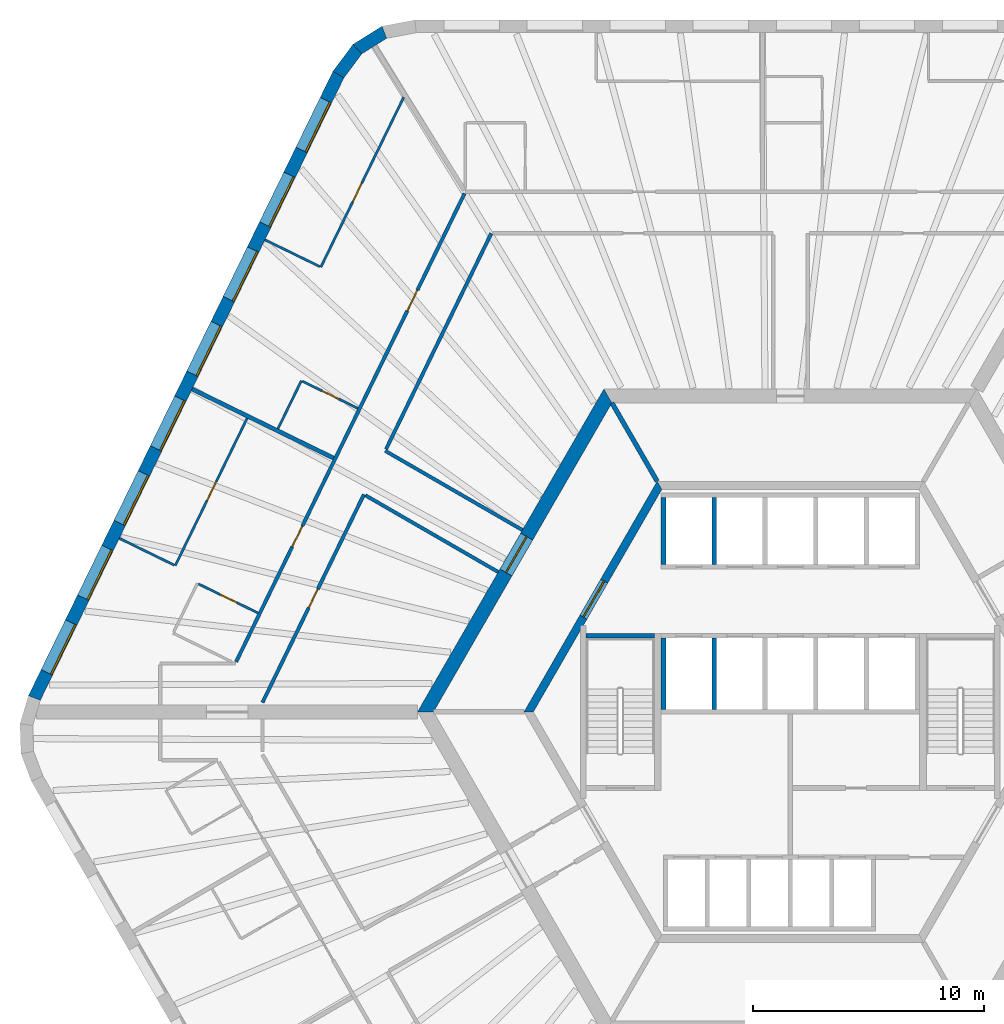
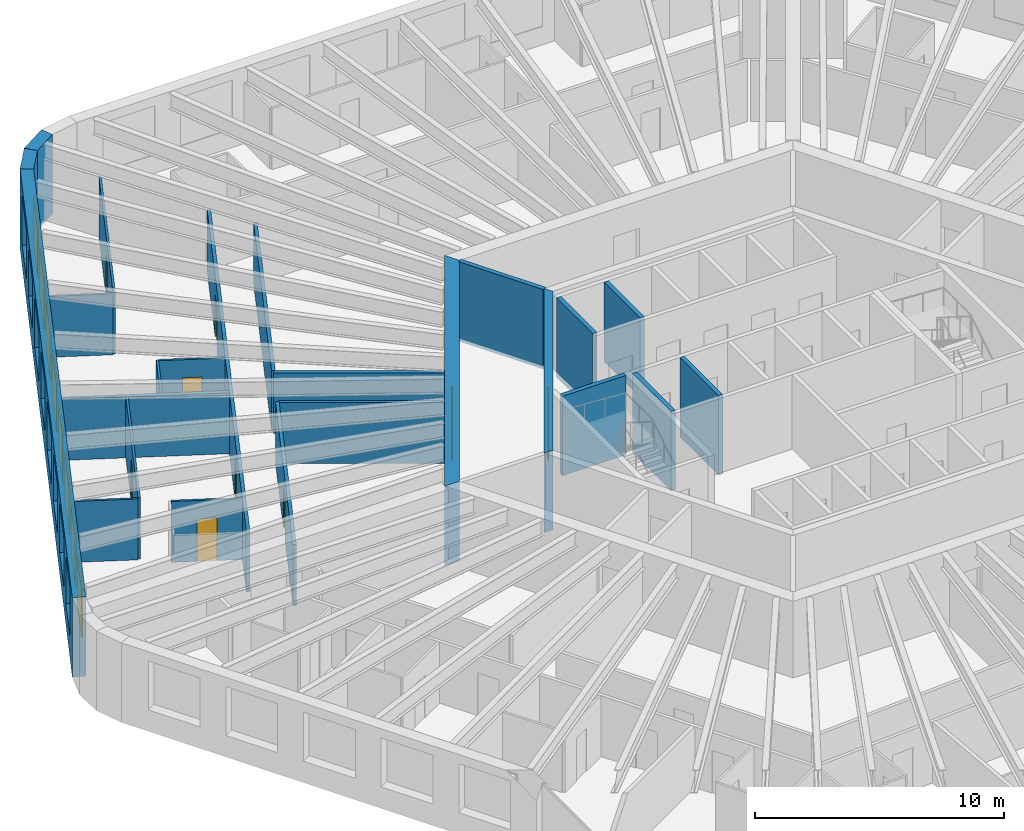
# One storey, part 7 of 12: 24 walls, 9 doors, 8 windows, 17 openings.
"""IFC4 building model written with IfcOpenShell, lengths in metres."""

from ifc_helpers import new_model, si_unit, direction, frame, frame_2d, origin, place, context, subcontext, project, spatial, polyline, rectangle, outline, extrude, material, layer, layer_set, type_object, element, fill, save


model = new_model("IFC4")

# Units and contexts
model_context = context("Model", 3, precision=1e-05, world=origin(), true_north=direction((0.0, 1.0)))
body_context = subcontext(model_context, "Body", "Model", "MODEL_VIEW")
ifc_project = project(units=[si_unit("LENGTHUNIT", "METRE"), si_unit("AREAUNIT", "SQUARE_METRE"), si_unit("VOLUMEUNIT", "CUBIC_METRE"), si_unit("PLANEANGLEUNIT", "RADIAN"), si_unit("MASSUNIT", "GRAM", prefix="KILO")], contexts=[model_context])

# Site, building, storey
site_placement = place(None, origin())
site = spatial("IfcSite", under=ifc_project, at=site_placement, CompositionType="ELEMENT")
building_placement = place(site_placement, origin())
building = spatial("IfcBuilding", under=site, at=building_placement, Name="Tarnside Tower", CompositionType="ELEMENT")
storey_placement = place(building_placement, frame((0.0, 0.0, 57.0)))
storey = spatial("IfcBuildingStorey", under=building, at=storey_placement, Name="L11", CompositionType="ELEMENT", Elevation=57.0)

# Wall
ifc_material_1 = material(Name="Gypsum board partition on steel studs", Category="steel")
ifc_layer_1 = layer(ifc_material_1, 0.10009765625)
ifc_layer_set_1 = layer_set([ifc_layer_1], Name="Bathroom wall 100")
wall_type_1 = type_object("IfcWallType", Name="Bathroom wall 100", PredefinedType="PARTITIONING", material=ifc_layer_set_1)
wall_1_placement = place(storey_placement, frame((-22.214111328125, 12.2822265625, 0.0), z_axis=(0.0, 0.0, 1.0), x_axis=(0.438398644313, 0.89878063434, 0.0)))
element("IfcWall", 1, at=wall_1_placement, inside=storey, type_object=wall_type_1, Name="Bathroom wall 02089", PredefinedType="PARTITIONING", context=body_context, shape_type="SweptSolid", body=[
    extrude(rectangle(XDim=2.31005859375, YDim=0.10009765625, at=frame_2d((1.155029296875, 0.0))), origin(), (0.0, 0.0, 1.0), 2.98779296875),
])

# Wall, opening, door
wall_2_placement = place(storey_placement, frame((-21.156494140625, 14.33642578125, 0.0), z_axis=(0.0, 0.0, 1.0), x_axis=(0.898800897694, -0.438357099068, 0.0)))
wall_2 = element("IfcWall", 2, at=wall_2_placement, inside=storey, type_object=wall_type_1, Name="Bathroom wall 02090", PredefinedType="PARTITIONING", context=body_context, shape_type="SweptSolid", body=[
    extrude(rectangle(XDim=2.675048828125, YDim=0.10009765625, at=frame_2d((1.33740234375, 0.0))), origin(), (0.0, 0.0, 1.0), 2.98779296875),
])
opening_1_placement = place(wall_2_placement, frame((0.949951171875, 0.0, 0.0)))
opening_1 = element("IfcOpeningElement", 3, at=opening_1_placement, cuts=wall_2, Name="Opening D-B1", PredefinedType="OPENING", context=body_context, shape_type="SweptSolid", body=[
    extrude(rectangle(XDim=0.800048828125, YDim=2.10009765625, at=frame_2d((0.39990234375, 1.050048828125))), frame((0.0, 0.06005859375, 0.0), z_axis=(0.0, -1.0, 0.0), x_axis=(1.0, 0.0, 0.0)), (0.0, 0.0, 1.0), 0.1201171875),
])
ifc_material_2 = material(Name="Timber door leaf", Category="wood")
door_type_1 = type_object("IfcDoorType", Name="Bathroom door 800", OperationType="NOTDEFINED", PredefinedType="DOOR", material=ifc_material_2)
door_1_placement = place(opening_1_placement, origin())
door_1 = element("IfcDoor", 4, at=door_1_placement, inside=storey, type_object=door_type_1, Name="Bathroom door 02009", OperationType="SINGLE_SWING_LEFT", OverallHeight=2.10009765625, OverallWidth=0.800048828125, PredefinedType="DOOR", context=body_context, shape_type="SweptSolid", body=[
    extrude(rectangle(XDim=0.800048828125, YDim=2.10009765625, at=frame_2d((0.39990234375, 1.050048828125))), frame((0.0, 0.02490234375, 0.0), z_axis=(0.0, -1.0, 0.0), x_axis=(1.0, 0.0, 0.0)), (0.0, 0.0, 1.0), 0.050048828125),
])
fill(opening_1, door_1)

wall_3_placement = place(storey_placement, frame((-25.664306640625, 5.55029296875, 0.0), z_axis=(0.0, 0.0, 1.0), x_axis=(0.898799457159, -0.438360052708, 0.0)))
wall_3 = element("IfcWall", 5, at=wall_3_placement, inside=storey, type_object=wall_type_1, Name="Bathroom wall 02098", PredefinedType="PARTITIONING", context=body_context, shape_type="SweptSolid", body=[
    extrude(rectangle(XDim=2.875, YDim=0.10009765625, at=frame_2d((1.4375, 0.0))), origin(), (0.0, 0.0, 1.0), 2.98779296875),
])
opening_2_placement = place(wall_3_placement, frame((1.050048828125, 0.0, 0.0)))
opening_2 = element("IfcOpeningElement", 6, at=opening_2_placement, cuts=wall_3, Name="Opening D-B1", PredefinedType="OPENING", context=body_context, shape_type="SweptSolid", body=[
    extrude(rectangle(XDim=0.800048828125, YDim=2.10009765625, at=frame_2d((0.39990234375, 1.050048828125))), frame((0.0, 0.06005859375, 0.0), z_axis=(0.0, -1.0, 0.0), x_axis=(1.0, 0.0, 0.0)), (0.0, 0.0, 1.0), 0.1201171875),
])
door_2_placement = place(opening_2_placement, origin())
door_2 = element("IfcDoor", 7, at=door_2_placement, inside=storey, type_object=door_type_1, Name="Bathroom door 02012", OperationType="SINGLE_SWING_LEFT", OverallHeight=2.10009765625, OverallWidth=0.800048828125, PredefinedType="DOOR", context=body_context, shape_type="SweptSolid", body=[
    extrude(rectangle(XDim=0.800048828125, YDim=2.10009765625, at=frame_2d((0.39990234375, 1.050048828125))), frame((0.0, 0.02490234375, 0.0), z_axis=(0.0, -1.0, 0.0), x_axis=(1.0, 0.0, 0.0)), (0.0, 0.0, 1.0), 0.050048828125),
])
fill(opening_2, door_2)

ifc_material_3 = material(Name="Concrete C50/60", Category="concrete")
ifc_layer_2 = layer(ifc_material_3, 0.35009765625)
ifc_layer_set_2 = layer_set([ifc_layer_2], Name="Core block wall 350 C50/60")
wall_type_2 = type_object("IfcWallType", Name="Core block wall 350 C50/60", PredefinedType="SHEAR", material=ifc_layer_set_2)
wall_4_placement = place(storey_placement, frame((-5.672607421875, 9.824951171875, -0.14990234375), z_axis=(0.0, 0.0, 1.0), x_axis=(-0.499995046907, -0.866028263435, 0.0)))
wall_4 = element("IfcWall", 8, at=wall_4_placement, inside=storey, type_object=wall_type_2, Name="L11 core block wall face 2", PredefinedType="SHEAR", context=body_context, shape_type="SweptSolid", body=[
    extrude(outline(polyline([(-0.10107421875, -0.175048828125), (11.44580078125, -0.175048828125), (11.24365234375, 0.175048828125), (0.10107421875, 0.175048828125), (-0.10107421875, -0.175048828125)])), origin(), (0.0, 0.0, 1.0), 3.89990234375),
])
opening_3_placement = place(wall_4_placement, frame((4.80126953125, 0.0, 0.14990234375)))
opening_3 = element("IfcOpeningElement", 9, at=opening_3_placement, cuts=wall_4, Name="Opening CD-LOB", PredefinedType="OPENING", context=body_context, shape_type="SweptSolid", body=[
    extrude(rectangle(XDim=1.800048828125, YDim=2.39990234375, at=frame_2d((0.89990234375, 1.199951171875))), frame((0.0, 0.18505859375, 0.0), z_axis=(0.0, -1.0, 0.0), x_axis=(1.0, 0.0, 0.0)), (0.0, 0.0, 1.0), 0.3701171875),
])
ifc_material_4 = material(Name="Steel fire door", Category="steel")
door_type_2 = type_object("IfcDoorType", Name="Lobby double door FD30S 1800x2400", OperationType="NOTDEFINED", PredefinedType="DOOR", material=ifc_material_4)
door_3_placement = place(opening_3_placement, origin())
door_3 = element("IfcDoor", 10, at=door_3_placement, inside=storey, type_object=door_type_2, Name="L11 lobby block door P1", OperationType="DOUBLE_DOOR_SINGLE_SWING", OverallHeight=2.39990234375, OverallWidth=1.800048828125, PredefinedType="DOOR", context=body_context, shape_type="SweptSolid", body=[
    extrude(rectangle(XDim=1.800048828125, YDim=2.39990234375, at=frame_2d((0.89990234375, 1.199951171875))), frame((0.0, 0.02490234375, 0.0), z_axis=(0.0, -1.0, 0.0), x_axis=(1.0, 0.0, 0.0)), (0.0, 0.0, 1.0), 0.050048828125),
])
fill(opening_3, door_3)

ifc_material_5 = material(Name="Concrete C80/95", Category="concrete")
ifc_layer_3 = layer(ifc_material_5, 0.60009765625)
ifc_layer_set_3 = layer_set([ifc_layer_3], Name="Core wall Z1 600 C80/95")
wall_type_3 = type_object("IfcWallType", Name="Core wall Z1 600 C80/95", PredefinedType="SHEAR", material=ifc_layer_set_3)
wall_5_placement = place(storey_placement, frame((-7.90966796875, 13.699951171875, -0.14990234375), z_axis=(0.0, 0.0, 1.0), x_axis=(-0.499999880136, -0.866025472988, 0.0)))
wall_5 = element("IfcWall", 11, at=wall_5_placement, inside=storey, type_object=wall_type_3, Name="L11 core wall face 2", PredefinedType="SHEAR", context=body_context, shape_type="SweptSolid", body=[
    extrude(outline(polyline([(-0.17333984375, -0.300048828125), (15.99267578125, -0.300048828125), (15.64599609375, 0.300048828125), (0.17333984375, 0.300048828125), (-0.17333984375, -0.300048828125)])), origin(), (0.0, 0.0, 1.0), 3.89990234375),
])
opening_4_placement = place(wall_5_placement, frame((7.03857421875, 0.0, 0.14990234375)))
opening_4 = element("IfcOpeningElement", 12, at=opening_4_placement, cuts=wall_5, Name="Opening CD-LOB", PredefinedType="OPENING", context=body_context, shape_type="SweptSolid", body=[
    extrude(rectangle(XDim=1.800048828125, YDim=2.39990234375, at=frame_2d((0.89990234375, 1.199951171875))), frame((0.0, 0.31005859375, 0.0), z_axis=(0.0, -1.0, 0.0), x_axis=(1.0, 0.0, 0.0)), (0.0, 0.0, 1.0), 0.6201171875),
])
door_4_placement = place(opening_4_placement, origin())
door_4 = element("IfcDoor", 13, at=door_4_placement, inside=storey, type_object=door_type_2, Name="L11 core door P1", OperationType="DOUBLE_DOOR_SINGLE_SWING", OverallHeight=2.39990234375, OverallWidth=1.800048828125, PredefinedType="DOOR", context=body_context, shape_type="SweptSolid", body=[
    extrude(rectangle(XDim=1.800048828125, YDim=2.39990234375, at=frame_2d((0.89990234375, 1.199951171875))), frame((0.0, 0.02490234375, 0.0), z_axis=(0.0, -1.0, 0.0), x_axis=(1.0, 0.0, 0.0)), (0.0, 0.0, 1.0), 0.050048828125),
])
fill(opening_4, door_4)

# Wall, openings, doors
ifc_layer_4 = layer(ifc_material_1, 0.14990234375)
ifc_layer_set_4 = layer_set([ifc_layer_4], Name="Corridor wall 150 EI 60")
wall_type_4 = type_object("IfcWallType", Name="Corridor wall 150 EI 60", PredefinedType="PARTITIONING", material=ifc_layer_set_4)
wall_6_placement = place(storey_placement, frame((-14.12744140625, 22.47509765625, 0.0), z_axis=(0.0, 0.0, 1.0), x_axis=(-0.438366981459, -0.898796077855, 0.0)))
wall_6 = element("IfcWall", 14, at=wall_6_placement, inside=storey, type_object=wall_type_4, Name="Corridor wall 02007", PredefinedType="PARTITIONING", context=body_context, shape_type="SweptSolid", body=[
    extrude(rectangle(XDim=22.5859375, YDim=0.14990234375, at=frame_2d((11.29296875, 0.0))), origin(), (0.0, 0.0, 1.0), 2.98779296875),
])
opening_5_placement = place(wall_6_placement, frame((4.656494140625, 0.0, 0.0)))
opening_5 = element("IfcOpeningElement", 15, at=opening_5_placement, cuts=wall_6, Name="Opening D-E1", PredefinedType="OPENING", context=body_context, shape_type="SweptSolid", body=[
    extrude(rectangle(XDim=1.0, YDim=2.10009765625, at=frame_2d((0.5, 1.050048828125))), frame((0.0, 0.0849609375, 0.0), z_axis=(0.0, -1.0, 0.0), x_axis=(1.0, 0.0, 0.0)), (0.0, 0.0, 1.0), 0.169921875),
])
opening_6_placement = place(wall_6_placement, frame((16.03271484375, 0.0, 0.0)))
opening_6 = element("IfcOpeningElement", 16, at=opening_6_placement, cuts=wall_6, Name="Opening D-E1", PredefinedType="OPENING", context=body_context, shape_type="SweptSolid", body=[
    extrude(rectangle(XDim=1.0, YDim=2.10009765625, at=frame_2d((0.5, 1.050048828125))), frame((0.0, 0.0849609375, 0.0), z_axis=(0.0, -1.0, 0.0), x_axis=(1.0, 0.0, 0.0)), (0.0, 0.0, 1.0), 0.169921875),
])
door_type_3 = type_object("IfcDoorType", Name="Unit entrance door 1000 FD30S", OperationType="NOTDEFINED", PredefinedType="DOOR", material=ifc_material_2)
door_5_placement = place(opening_5_placement, origin())
door_5 = element("IfcDoor", 17, at=door_5_placement, inside=storey, type_object=door_type_3, Name="Unit door 02008", OperationType="SINGLE_SWING_RIGHT", OverallHeight=2.10009765625, OverallWidth=1.0, PredefinedType="DOOR", context=body_context, shape_type="SweptSolid", body=[
    extrude(rectangle(XDim=1.0, YDim=2.10009765625, at=frame_2d((0.5, 1.050048828125))), frame((0.0, 0.02490234375, 0.0), z_axis=(0.0, -1.0, 0.0), x_axis=(1.0, 0.0, 0.0)), (0.0, 0.0, 1.0), 0.050048828125),
])
fill(opening_5, door_5)
door_6_placement = place(opening_6_placement, origin())
door_6 = element("IfcDoor", 18, at=door_6_placement, inside=storey, type_object=door_type_3, Name="Unit door 02011", OperationType="SINGLE_SWING_RIGHT", OverallHeight=2.10009765625, OverallWidth=1.0, PredefinedType="DOOR", context=body_context, shape_type="SweptSolid", body=[
    extrude(rectangle(XDim=1.0, YDim=2.10009765625, at=frame_2d((0.5, 1.050048828125))), frame((0.0, 0.02490234375, 0.0), z_axis=(0.0, -1.0, 0.0), x_axis=(1.0, 0.0, 0.0)), (0.0, 0.0, 1.0), 0.050048828125),
])
fill(opening_6, door_6)

# Walls
wall_7_placement = place(storey_placement, frame((-11.61376953125, 7.88427734375, 0.0), z_axis=(0.0, 0.0, 1.0), x_axis=(-0.866026442345, 0.499998201156, 0.0)))
element("IfcWall", 19, at=wall_7_placement, inside=storey, type_object=wall_type_4, Name="Corridor wall 02013", PredefinedType="PARTITIONING", context=body_context, shape_type="SweptSolid", body=[
    extrude(rectangle(XDim=6.8720703125, YDim=0.14990234375, at=frame_2d((3.43603515625, 0.0))), origin(), (0.0, 0.0, 1.0), 2.98779296875),
])
wall_8_placement = place(storey_placement, frame((-17.5322265625, 11.387939453125, 0.0), z_axis=(0.0, 0.0, 1.0), x_axis=(0.438369602246, 0.898794799622, 0.0)))
element("IfcWall", 20, at=wall_8_placement, inside=storey, type_object=wall_type_4, Name="Corridor wall 02014", PredefinedType="PARTITIONING", context=body_context, shape_type="SweptSolid", body=[
    extrude(rectangle(XDim=10.416259765625, YDim=0.14990234375, at=frame_2d((5.2080078125, 0.0))), origin(), (0.0, 0.0, 1.0), 2.98779296875),
])

# Wall, opening, door
wall_9_placement = place(storey_placement, frame((-22.886474609375, 0.41015625, 0.0), z_axis=(0.0, 0.0, 1.0), x_axis=(0.438373773754, 0.898792765038, 0.0)))
wall_9 = element("IfcWall", 21, at=wall_9_placement, inside=storey, type_object=wall_type_4, Name="Corridor wall 02020", PredefinedType="PARTITIONING", context=body_context, shape_type="SweptSolid", body=[
    extrude(rectangle(XDim=10.033447265625, YDim=0.14990234375, at=frame_2d((5.0166015625, 0.0))), origin(), (0.0, 0.0, 1.0), 2.98779296875),
])
opening_7_placement = place(wall_9_placement, frame((4.56689453125, 0.0, 0.0)))
opening_7 = element("IfcOpeningElement", 22, at=opening_7_placement, cuts=wall_9, Name="Opening D-S1", PredefinedType="OPENING", context=body_context, shape_type="SweptSolid", body=[
    extrude(rectangle(XDim=0.89990234375, YDim=2.10009765625, at=frame_2d((0.449951171875, 1.050048828125))), frame((0.0, 0.0849609375, 0.0), z_axis=(0.0, -1.0, 0.0), x_axis=(1.0, 0.0, 0.0)), (0.0, 0.0, 1.0), 0.169921875),
])
door_type_4 = type_object("IfcDoorType", Name="Service room door 900 FD30S", OperationType="NOTDEFINED", PredefinedType="DOOR", material=ifc_material_2)
door_7_placement = place(opening_7_placement, origin())
door_7 = element("IfcDoor", 23, at=door_7_placement, inside=storey, type_object=door_type_4, Name="Service door 02043", OperationType="SINGLE_SWING_RIGHT", OverallHeight=2.10009765625, OverallWidth=0.89990234375, PredefinedType="DOOR", context=body_context, shape_type="SweptSolid", body=[
    extrude(rectangle(XDim=0.89990234375, YDim=2.10009765625, at=frame_2d((0.449951171875, 1.050048828125))), frame((0.0, 0.02490234375, 0.0), z_axis=(0.0, -1.0, 0.0), x_axis=(1.0, 0.0, 0.0)), (0.0, 0.0, 1.0), 0.050048828125),
])
fill(opening_7, door_7)

# Walls
wall_10_placement = place(storey_placement, frame((-18.4228515625, 9.390625, 0.0), z_axis=(0.0, 0.0, 1.0), x_axis=(0.866027239912, -0.49999681972, 0.0)))
element("IfcWall", 24, at=wall_10_placement, inside=storey, type_object=wall_type_4, Name="Corridor wall 02021", PredefinedType="PARTITIONING", context=body_context, shape_type="SweptSolid", body=[
    extrude(rectangle(XDim=6.64990234375, YDim=0.14990234375, at=frame_2d((3.324951171875, 0.0))), origin(), (0.0, 0.0, 1.0), 2.98779296875),
])
ifc_layer_5 = layer(ifc_material_1, 0.179931640625)
ifc_layer_set_5 = layer_set([ifc_layer_5], Name="Demising wall 180 EI 60")
wall_type_5 = type_object("IfcWallType", Name="Demising wall 180 EI 60", PredefinedType="PARTITIONING", material=ifc_layer_set_5)
wall_11_placement = place(storey_placement, frame((-25.9384765625, 13.99853515625, 0.0), z_axis=(0.0, 0.0, 1.0), x_axis=(0.898790790823, -0.438377821441, 0.0)))
element("IfcWall", 25, at=wall_11_placement, inside=storey, type_object=wall_type_5, Name="Demising wall 02093", PredefinedType="PARTITIONING", context=body_context, shape_type="SweptSolid", body=[
    extrude(rectangle(XDim=6.824951171875, YDim=0.179931640625, at=frame_2d((3.41259765625, 0.0))), origin(), (0.0, 0.0, 1.0), 2.98779296875),
])
ifc_material_6 = material(Name="Concrete C40/50", Category="concrete")
ifc_layer_6 = layer(ifc_material_6, 0.199951171875)
ifc_layer_set_6 = layer_set([ifc_layer_6], Name="Lift shaft wall 200 C40/50")
wall_type_6 = type_object("IfcWallType", Name="Lift shaft wall 200 C40/50", PredefinedType="SHEAR", material=ifc_layer_set_6)
for number, where, z_axis, x_axis, name in (
    (26, (-5.5, 6.39990234375, -0.25), (0.0, 0.0, 1.0), (0.0, 1.0, 0.0), "L11 lift shaft partition R11"),
    (27, (-3.300048828125, 6.39990234375, -0.25), (0.0, 0.0, 1.0), (0.0, 1.0, 0.0), "L11 lift shaft partition R12"),
):
    element("IfcWall", number, at=place(storey_placement, frame(where, z_axis=z_axis, x_axis=x_axis)), inside=storey, type_object=wall_type_6, Name=name, PredefinedType="SHEAR", context=body_context, shape_type="SweptSolid", body=[
        extrude(rectangle(XDim=2.900146484375, YDim=0.199951171875, at=frame_2d((1.4501953125, 0.0))), origin(), (0.0, 0.0, 1.0), 3.89990234375),
    ])
for number, where, z_axis, x_axis, name in (
    (28, (-5.5, 0.10009765625, -0.25), (0.0, 0.0, 1.0), (0.0, 1.0, 0.0), "L11 lift shaft partition R21"),
    (29, (-3.300048828125, 0.10009765625, -0.25), (0.0, 0.0, 1.0), (0.0, 1.0, 0.0), "L11 lift shaft partition R22"),
):
    element("IfcWall", number, at=place(storey_placement, frame(where, z_axis=z_axis, x_axis=x_axis)), inside=storey, type_object=wall_type_6, Name=name, PredefinedType="SHEAR", context=body_context, shape_type="SweptSolid", body=[
        extrude(rectangle(XDim=3.099853515625, YDim=0.199951171875, at=frame_2d((1.5498046875, 0.0))), origin(), (0.0, 0.0, 1.0), 3.89990234375),
    ])
wall_12_placement = place(storey_placement, frame((-5.7734375, 10.0, -0.14990234375), z_axis=(0.0, 0.0, 1.0), x_axis=(-0.500038251005, 0.86600331843, 0.0)))
element("IfcWall", 30, at=wall_12_placement, inside=storey, type_object=wall_type_6, Name="L11 core partition AR120", PredefinedType="SHEAR", context=body_context, shape_type="SweptSolid", body=[
    extrude(rectangle(XDim=3.926025390625, YDim=0.199951171875, at=frame_2d((1.962890625, 0.0))), origin(), (0.0, 0.0, 1.0), 3.89990234375),
])
wall_13_placement = place(storey_placement, frame((-8.85009765625, 3.300048828125, -0.25), z_axis=(0.0, 0.0, 1.0), x_axis=(1.0, 0.0, 0.0)))
element("IfcWall", 31, at=wall_13_placement, inside=storey, type_object=wall_type_6, Name="L11 stair 2 enclosure cap wall n", PredefinedType="SHEAR", context=body_context, shape_type="SweptSolid", body=[
    extrude(rectangle(XDim=2.9501953125, YDim=0.199951171875, at=frame_2d((1.47509765625, 0.0))), origin(), (0.0, 0.0, 1.0), 3.89990234375),
])

# Wall, opening, door
ifc_layer_7 = layer(ifc_material_1, 0.10009765625)
ifc_layer_set_7 = layer_set([ifc_layer_7], Name="Partition 100")
wall_type_7 = type_object("IfcWallType", Name="Partition 100", PredefinedType="PARTITIONING", material=ifc_layer_set_7)
wall_14_placement = place(storey_placement, frame((-16.76171875, 26.654541015625, 0.0), z_axis=(0.0, 0.0, 1.0), x_axis=(-0.438376691605, -0.898791341891, 0.0)))
wall_14 = element("IfcWall", 32, at=wall_14_placement, inside=storey, type_object=wall_type_7, Name="Partition wall 02091", PredefinedType="PARTITIONING", context=body_context, shape_type="SweptSolid", body=[
    extrude(rectangle(XDim=8.19775390625, YDim=0.10009765625, at=frame_2d((4.098876953125, 0.0))), origin(), (0.0, 0.0, 1.0), 2.98779296875),
])
opening_8_placement = place(wall_14_placement, frame((4.14794921875, 0.0, 0.0)))
opening_8 = element("IfcOpeningElement", 33, at=opening_8_placement, cuts=wall_14, Name="Opening D-I1", PredefinedType="OPENING", context=body_context, shape_type="SweptSolid", body=[
    extrude(rectangle(XDim=0.89990234375, YDim=2.10009765625, at=frame_2d((0.449951171875, 1.050048828125))), frame((0.0, 0.06005859375, 0.0), z_axis=(0.0, -1.0, 0.0), x_axis=(1.0, 0.0, 0.0)), (0.0, 0.0, 1.0), 0.1201171875),
])
door_type_5 = type_object("IfcDoorType", Name="Internal door 900", OperationType="NOTDEFINED", PredefinedType="DOOR", material=ifc_material_2)
door_8_placement = place(opening_8_placement, origin())
door_8 = element("IfcDoor", 34, at=door_8_placement, inside=storey, type_object=door_type_5, Name="Internal door 02010", OperationType="SINGLE_SWING_LEFT", OverallHeight=2.10009765625, OverallWidth=0.89990234375, PredefinedType="DOOR", context=body_context, shape_type="SweptSolid", body=[
    extrude(rectangle(XDim=0.89990234375, YDim=2.10009765625, at=frame_2d((0.449951171875, 1.050048828125))), frame((0.0, 0.02490234375, 0.0), z_axis=(0.0, -1.0, 0.0), x_axis=(1.0, 0.0, 0.0)), (0.0, 0.0, 1.0), 0.050048828125),
])
fill(opening_8, door_8)

# Wall
wall_15_placement = place(storey_placement, frame((-20.400390625, 19.30810546875, 0.0), z_axis=(0.0, 0.0, 1.0), x_axis=(-0.898769331032, 0.438421816972, 0.0)))
element("IfcWall", 35, at=wall_15_placement, inside=storey, type_object=wall_type_7, Name="Partition wall 02092", PredefinedType="PARTITIONING", context=body_context, shape_type="SweptSolid", body=[
    extrude(rectangle(XDim=2.650146484375, YDim=0.10009765625, at=frame_2d((1.3251953125, 0.0))), origin(), (0.0, 0.0, 1.0), 2.98779296875),
])

# Wall, opening, door
wall_16_placement = place(storey_placement, frame((-23.55126953125, 12.734130859375, 0.0), z_axis=(0.0, 0.0, 1.0), x_axis=(-0.438387776054, -0.898785935475, 0.0)))
wall_16 = element("IfcWall", 36, at=wall_16_placement, inside=storey, type_object=wall_type_7, Name="Partition wall 02099", PredefinedType="PARTITIONING", context=body_context, shape_type="SweptSolid", body=[
    extrude(rectangle(XDim=7.110107421875, YDim=0.10009765625, at=frame_2d((3.55517578125, 0.0))), origin(), (0.0, 0.0, 1.0), 2.98779296875),
])
opening_9_placement = place(wall_16_placement, frame((3.06005859375, 0.0, 0.0)))
opening_9 = element("IfcOpeningElement", 37, at=opening_9_placement, cuts=wall_16, Name="Opening D-I1", PredefinedType="OPENING", context=body_context, shape_type="SweptSolid", body=[
    extrude(rectangle(XDim=0.89990234375, YDim=2.10009765625, at=frame_2d((0.449951171875, 1.050048828125))), frame((0.0, 0.06005859375, 0.0), z_axis=(0.0, -1.0, 0.0), x_axis=(1.0, 0.0, 0.0)), (0.0, 0.0, 1.0), 0.1201171875),
])
door_9_placement = place(opening_9_placement, origin())
door_9 = element("IfcDoor", 38, at=door_9_placement, inside=storey, type_object=door_type_5, Name="Internal door 02013", OperationType="SINGLE_SWING_RIGHT", OverallHeight=2.10009765625, OverallWidth=0.89990234375, PredefinedType="DOOR", context=body_context, shape_type="SweptSolid", body=[
    extrude(rectangle(XDim=0.89990234375, YDim=2.10009765625, at=frame_2d((0.449951171875, 1.050048828125))), frame((0.0, 0.02490234375, 0.0), z_axis=(0.0, -1.0, 0.0), x_axis=(1.0, 0.0, 0.0)), (0.0, 0.0, 1.0), 0.050048828125),
])
fill(opening_9, door_9)

# Walls
wall_17_placement = place(storey_placement, frame((-26.713134765625, 6.365478515625, 0.0), z_axis=(0.0, 0.0, 1.0), x_axis=(-0.898751621189, 0.438458120475, 0.0)))
element("IfcWall", 39, at=wall_17_placement, inside=storey, type_object=wall_type_7, Name="Partition wall 02100", PredefinedType="PARTITIONING", context=body_context, shape_type="SweptSolid", body=[
    extrude(rectangle(XDim=2.64990234375, YDim=0.10009765625, at=frame_2d((1.324951171875, 0.0))), origin(), (0.0, 0.0, 1.0), 2.98779296875),
])
ifc_material_7 = material(Name="Facing brick", Category="masonry")
ifc_layer_8 = layer(ifc_material_7, 0.10205078125)
ifc_material_8 = material(Name="Concrete C60/75 precast", Category="concrete")
ifc_layer_9 = layer(ifc_material_8, 0.347900390625)
ifc_material_9 = material(Name="Mineral wool insulation")
ifc_layer_10 = layer(ifc_material_9, 0.10009765625)
ifc_layer_set_8 = layer_set([ifc_layer_8, ifc_layer_9, ifc_layer_10], Name="Tube wall 550 brick faced")
wall_type_8 = type_object("IfcWallType", Name="Tube wall 550 brick faced", PredefinedType="SOLIDWALL", material=ifc_layer_set_8)
wall_18_placement = place(storey_placement, frame((-17.601806640625, 29.4697265625, -0.14990234375), z_axis=(0.0, 0.0, 1.0), x_axis=(-0.848057977594, -0.5299034503, 0.0)))
element("IfcWall", 40, at=wall_18_placement, inside=storey, type_object=wall_type_8, Name="Tube wall L11 F1 chord 02", PredefinedType="SOLIDWALL", context=body_context, shape_type="SweptSolid", body=[
    extrude(outline(polyline([(-0.0517578125, -0.27490234375), (1.4306640625, -0.27490234375), (1.3271484375, 0.27490234375), (0.0517578125, 0.27490234375), (-0.0517578125, -0.27490234375)])), origin(), (0.0, 0.0, 1.0), 3.89990234375),
])
wall_19_placement = place(storey_placement, frame((-18.771240234375, 28.739013671875, -0.14990234375), z_axis=(0.0, 0.0, 1.0), x_axis=(-0.597135295884, -0.802140535324, 0.0)))
element("IfcWall", 41, at=wall_19_placement, inside=storey, type_object=wall_type_8, Name="Tube wall L11 F1 chord 03", PredefinedType="SOLIDWALL", context=body_context, shape_type="SweptSolid", body=[
    extrude(outline(polyline([(-0.0517578125, -0.27490234375), (1.40478515625, -0.27490234375), (1.353515625, 0.27490234375), (0.0517578125, 0.27490234375), (-0.0517578125, -0.27490234375)])), origin(), (0.0, 0.0, 1.0), 3.89990234375),
])

# Wall, openings, windows
wall_20_placement = place(storey_placement, frame((-19.5947265625, 27.6328125, -0.14990234375), z_axis=(0.0, 0.0, 1.0), x_axis=(-0.438368285794, -0.898795441694, 0.0)))
wall_20 = element("IfcWall", 42, at=wall_20_placement, inside=storey, type_object=wall_type_8, Name="Tube wall L11 F2 flush 04", PredefinedType="SOLIDWALL", context=body_context, shape_type="SweptSolid", body=[
    extrude(outline(polyline([(-0.025634765625, -0.27490234375), (30.09326171875, -0.27490234375), (30.04833984375, 0.27490234375), (0.025634765625, 0.27490234375), (-0.025634765625, -0.27490234375)])), origin(), (0.0, 0.0, 1.0), 3.89990234375),
])
opening_10_placement = place(wall_20_placement, frame((1.235595703125, 0.0, 1.050048828125)))
opening_10 = element("IfcOpeningElement", 43, at=opening_10_placement, cuts=wall_20, Name="Opening WH", PredefinedType="OPENING", context=body_context, shape_type="SweptSolid", body=[
    extrude(rectangle(XDim=2.39990234375, YDim=2.39990234375, at=frame_2d((1.199951171875, 1.199951171875))), frame((0.0, 0.28515625, 0.0), z_axis=(0.0, -1.0, 0.0), x_axis=(1.0, 0.0, 0.0)), (0.0, 0.0, 1.0), 0.570068359375),
])
opening_11_placement = place(wall_20_placement, frame((4.83544921875, 0.0, 1.050048828125)))
opening_11 = element("IfcOpeningElement", 44, at=opening_11_placement, cuts=wall_20, Name="Opening WH", PredefinedType="OPENING", context=body_context, shape_type="SweptSolid", body=[
    extrude(rectangle(XDim=2.39990234375, YDim=2.39990234375, at=frame_2d((1.199951171875, 1.199951171875))), frame((0.0, 0.28515625, 0.0), z_axis=(0.0, -1.0, 0.0), x_axis=(1.0, 0.0, 0.0)), (0.0, 0.0, 1.0), 0.570068359375),
])
opening_12_placement = place(wall_20_placement, frame((8.435546875, 0.0, 1.050048828125)))
opening_12 = element("IfcOpeningElement", 45, at=opening_12_placement, cuts=wall_20, Name="Opening WH", PredefinedType="OPENING", context=body_context, shape_type="SweptSolid", body=[
    extrude(rectangle(XDim=2.39990234375, YDim=2.39990234375, at=frame_2d((1.199951171875, 1.199951171875))), frame((0.0, 0.28515625, 0.0), z_axis=(0.0, -1.0, 0.0), x_axis=(1.0, 0.0, 0.0)), (0.0, 0.0, 1.0), 0.570068359375),
])
opening_13_placement = place(wall_20_placement, frame((12.035400390625, 0.0, 1.050048828125)))
opening_13 = element("IfcOpeningElement", 46, at=opening_13_placement, cuts=wall_20, Name="Opening WH", PredefinedType="OPENING", context=body_context, shape_type="SweptSolid", body=[
    extrude(rectangle(XDim=2.39990234375, YDim=2.39990234375, at=frame_2d((1.199951171875, 1.199951171875))), frame((0.0, 0.28515625, 0.0), z_axis=(0.0, -1.0, 0.0), x_axis=(1.0, 0.0, 0.0)), (0.0, 0.0, 1.0), 0.570068359375),
])
opening_14_placement = place(wall_20_placement, frame((15.635498046875, 0.0, 1.050048828125)))
opening_14 = element("IfcOpeningElement", 47, at=opening_14_placement, cuts=wall_20, Name="Opening WH", PredefinedType="OPENING", context=body_context, shape_type="SweptSolid", body=[
    extrude(rectangle(XDim=2.39990234375, YDim=2.39990234375, at=frame_2d((1.199951171875, 1.199951171875))), frame((0.0, 0.28515625, 0.0), z_axis=(0.0, -1.0, 0.0), x_axis=(1.0, 0.0, 0.0)), (0.0, 0.0, 1.0), 0.570068359375),
])
opening_15_placement = place(wall_20_placement, frame((19.235595703125, 0.0, 1.050048828125)))
opening_15 = element("IfcOpeningElement", 48, at=opening_15_placement, cuts=wall_20, Name="Opening WH", PredefinedType="OPENING", context=body_context, shape_type="SweptSolid", body=[
    extrude(rectangle(XDim=2.39990234375, YDim=2.39990234375, at=frame_2d((1.199951171875, 1.199951171875))), frame((0.0, 0.28515625, 0.0), z_axis=(0.0, -1.0, 0.0), x_axis=(1.0, 0.0, 0.0)), (0.0, 0.0, 1.0), 0.570068359375),
])
opening_16_placement = place(wall_20_placement, frame((22.83544921875, 0.0, 1.050048828125)))
opening_16 = element("IfcOpeningElement", 49, at=opening_16_placement, cuts=wall_20, Name="Opening WH", PredefinedType="OPENING", context=body_context, shape_type="SweptSolid", body=[
    extrude(rectangle(XDim=2.39990234375, YDim=2.39990234375, at=frame_2d((1.199951171875, 1.199951171875))), frame((0.0, 0.28515625, 0.0), z_axis=(0.0, -1.0, 0.0), x_axis=(1.0, 0.0, 0.0)), (0.0, 0.0, 1.0), 0.570068359375),
])
opening_17_placement = place(wall_20_placement, frame((26.435546875, 0.0, 1.050048828125)))
opening_17 = element("IfcOpeningElement", 50, at=opening_17_placement, cuts=wall_20, Name="Opening WH", PredefinedType="OPENING", context=body_context, shape_type="SweptSolid", body=[
    extrude(rectangle(XDim=2.39990234375, YDim=2.39990234375, at=frame_2d((1.199951171875, 1.199951171875))), frame((0.0, 0.28515625, 0.0), z_axis=(0.0, -1.0, 0.0), x_axis=(1.0, 0.0, 0.0)), (0.0, 0.0, 1.0), 0.570068359375),
])
ifc_material_10 = material(Name="Aluminium-framed double glazing", Category="aluminium")
window_type = type_object("IfcWindowType", Name="Hotel window 2400 x 2400", PartitioningType="DOUBLE_PANEL_VERTICAL", PredefinedType="WINDOW", material=ifc_material_10)
window_1_placement = place(opening_10_placement, frame((0.0, 0.205078125, 0.0)))
window_1 = element("IfcWindow", 51, at=window_1_placement, inside=storey, type_object=window_type, Name="E.WN.L11.F2.00", OverallHeight=2.39990234375, OverallWidth=2.39990234375, PartitioningType="DOUBLE_PANEL_VERTICAL", PredefinedType="WINDOW", context=body_context, shape_type="SweptSolid", body=[
    extrude(rectangle(XDim=2.39990234375, YDim=2.39990234375, at=frame_2d((1.199951171875, 1.199951171875))), frame((0.0, 0.030029296875, 0.0), z_axis=(0.0, -1.0, 0.0), x_axis=(1.0, 0.0, 0.0)), (0.0, 0.0, 1.0), 0.06005859375),
])
fill(opening_10, window_1)
window_2_placement = place(opening_11_placement, frame((0.0, 0.205078125, 0.0)))
window_2 = element("IfcWindow", 52, at=window_2_placement, inside=storey, type_object=window_type, Name="E.WN.L11.F2.01", OverallHeight=2.39990234375, OverallWidth=2.39990234375, PartitioningType="DOUBLE_PANEL_VERTICAL", PredefinedType="WINDOW", context=body_context, shape_type="SweptSolid", body=[
    extrude(rectangle(XDim=2.39990234375, YDim=2.39990234375, at=frame_2d((1.199951171875, 1.199951171875))), frame((0.0, 0.030029296875, 0.0), z_axis=(0.0, -1.0, 0.0), x_axis=(1.0, 0.0, 0.0)), (0.0, 0.0, 1.0), 0.06005859375),
])
fill(opening_11, window_2)
window_3_placement = place(opening_12_placement, frame((0.0, 0.205078125, 0.0)))
window_3 = element("IfcWindow", 53, at=window_3_placement, inside=storey, type_object=window_type, Name="E.WN.L11.F2.02", OverallHeight=2.39990234375, OverallWidth=2.39990234375, PartitioningType="DOUBLE_PANEL_VERTICAL", PredefinedType="WINDOW", context=body_context, shape_type="SweptSolid", body=[
    extrude(rectangle(XDim=2.39990234375, YDim=2.39990234375, at=frame_2d((1.199951171875, 1.199951171875))), frame((0.0, 0.030029296875, 0.0), z_axis=(0.0, -1.0, 0.0), x_axis=(1.0, 0.0, 0.0)), (0.0, 0.0, 1.0), 0.06005859375),
])
fill(opening_12, window_3)
window_4_placement = place(opening_13_placement, frame((0.0, 0.205078125, 0.0)))
window_4 = element("IfcWindow", 54, at=window_4_placement, inside=storey, type_object=window_type, Name="E.WN.L11.F2.03", OverallHeight=2.39990234375, OverallWidth=2.39990234375, PartitioningType="DOUBLE_PANEL_VERTICAL", PredefinedType="WINDOW", context=body_context, shape_type="SweptSolid", body=[
    extrude(rectangle(XDim=2.39990234375, YDim=2.39990234375, at=frame_2d((1.199951171875, 1.199951171875))), frame((0.0, 0.030029296875, 0.0), z_axis=(0.0, -1.0, 0.0), x_axis=(1.0, 0.0, 0.0)), (0.0, 0.0, 1.0), 0.06005859375),
])
fill(opening_13, window_4)
window_5_placement = place(opening_14_placement, frame((0.0, 0.205078125, 0.0)))
window_5 = element("IfcWindow", 55, at=window_5_placement, inside=storey, type_object=window_type, Name="E.WN.L11.F2.04", OverallHeight=2.39990234375, OverallWidth=2.39990234375, PartitioningType="DOUBLE_PANEL_VERTICAL", PredefinedType="WINDOW", context=body_context, shape_type="SweptSolid", body=[
    extrude(rectangle(XDim=2.39990234375, YDim=2.39990234375, at=frame_2d((1.199951171875, 1.199951171875))), frame((0.0, 0.030029296875, 0.0), z_axis=(0.0, -1.0, 0.0), x_axis=(1.0, 0.0, 0.0)), (0.0, 0.0, 1.0), 0.06005859375),
])
fill(opening_14, window_5)
window_6_placement = place(opening_15_placement, frame((0.0, 0.205078125, 0.0)))
window_6 = element("IfcWindow", 56, at=window_6_placement, inside=storey, type_object=window_type, Name="E.WN.L11.F2.05", OverallHeight=2.39990234375, OverallWidth=2.39990234375, PartitioningType="DOUBLE_PANEL_VERTICAL", PredefinedType="WINDOW", context=body_context, shape_type="SweptSolid", body=[
    extrude(rectangle(XDim=2.39990234375, YDim=2.39990234375, at=frame_2d((1.199951171875, 1.199951171875))), frame((0.0, 0.030029296875, 0.0), z_axis=(0.0, -1.0, 0.0), x_axis=(1.0, 0.0, 0.0)), (0.0, 0.0, 1.0), 0.06005859375),
])
fill(opening_15, window_6)
window_7_placement = place(opening_16_placement, frame((0.0, 0.205078125, 0.0)))
window_7 = element("IfcWindow", 57, at=window_7_placement, inside=storey, type_object=window_type, Name="E.WN.L11.F2.06", OverallHeight=2.39990234375, OverallWidth=2.39990234375, PartitioningType="DOUBLE_PANEL_VERTICAL", PredefinedType="WINDOW", context=body_context, shape_type="SweptSolid", body=[
    extrude(rectangle(XDim=2.39990234375, YDim=2.39990234375, at=frame_2d((1.199951171875, 1.199951171875))), frame((0.0, 0.030029296875, 0.0), z_axis=(0.0, -1.0, 0.0), x_axis=(1.0, 0.0, 0.0)), (0.0, 0.0, 1.0), 0.06005859375),
])
fill(opening_16, window_7)
window_8_placement = place(opening_17_placement, frame((0.0, 0.205078125, 0.0)))
window_8 = element("IfcWindow", 58, at=window_8_placement, inside=storey, type_object=window_type, Name="E.WN.L11.F2.07", OverallHeight=2.39990234375, OverallWidth=2.39990234375, PartitioningType="DOUBLE_PANEL_VERTICAL", PredefinedType="WINDOW", context=body_context, shape_type="SweptSolid", body=[
    extrude(rectangle(XDim=2.39990234375, YDim=2.39990234375, at=frame_2d((1.199951171875, 1.199951171875))), frame((0.0, 0.030029296875, 0.0), z_axis=(0.0, -1.0, 0.0), x_axis=(1.0, 0.0, 0.0)), (0.0, 0.0, 1.0), 0.06005859375),
])
fill(opening_17, window_8)

save(model, "model.ifc")
